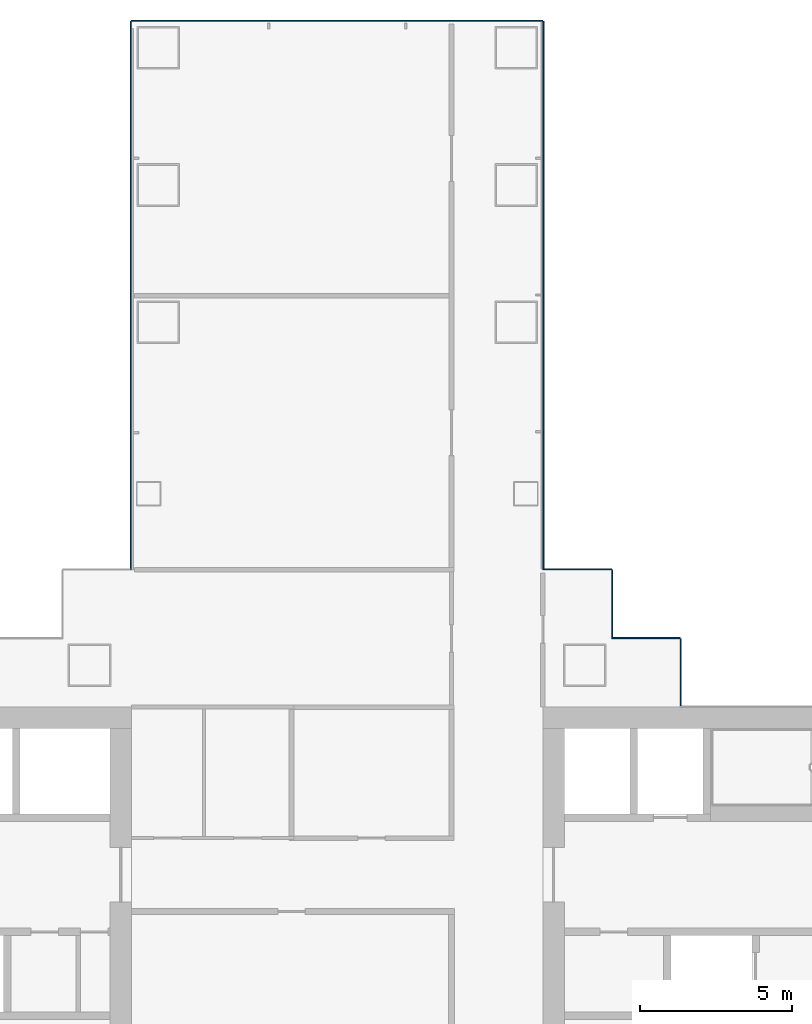
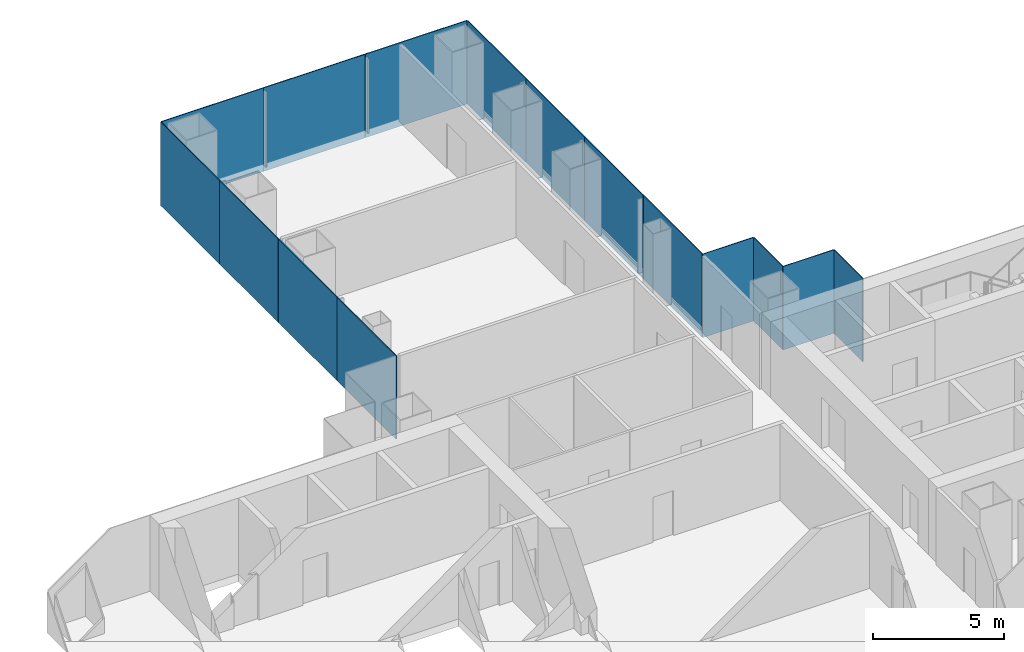
# One storey, part 13 of 21: 15 plates, 4 elements without a shape of their own.
"""IFC4 building model written with IfcOpenShell, lengths in metres."""

from ifc_helpers import new_model, si_unit, direction, frame, origin, origin_2d, place, context, subcontext, project, spatial, rectangle, extrude, material, layer, layer_set, type_object, element, aggregate, save


model = new_model("IFC4")

# Units and contexts
model_context = context("Model", 3, precision=1e-05, world=origin(), true_north=direction((0.0, 1.0)))
body_context = subcontext(model_context, "Body", "Model", "MODEL_VIEW")
ifc_project = project(units=[si_unit("LENGTHUNIT", "METRE"), si_unit("AREAUNIT", "SQUARE_METRE"), si_unit("VOLUMEUNIT", "CUBIC_METRE"), si_unit("PLANEANGLEUNIT", "RADIAN"), si_unit("MASSUNIT", "GRAM", prefix="KILO")], contexts=[model_context])

# Site, building, storey
site_placement = place(None, origin())
site = spatial("IfcSite", under=ifc_project, at=site_placement, CompositionType="ELEMENT")
building_placement = place(site_placement, origin())
building = spatial("IfcBuilding", under=site, at=building_placement, Name="Shamsa Quay Exchange Towers", CompositionType="ELEMENT")
storey_placement = place(building_placement, frame((0.0, 0.0, 61.5)))
storey = spatial("IfcBuildingStorey", under=building, at=storey_placement, Name="L13", CompositionType="ELEMENT", Elevation=61.5)

# Curtain wall, plates
ifc_material_1 = material(Name="Aluminium EN AW-6063 T6, black anodised", Category="aluminium")
ifc_layer_1 = layer(ifc_material_1, 0.280029296875)
ifc_layer_set_1 = layer_set([ifc_layer_1], Name="CW-1 UNITISED VISION GLASS")
curtain_wall_type_1 = type_object("IfcCurtainWallType", Name="CW-1 UNITISED VISION GLASS", PredefinedType="NOTDEFINED", material=ifc_layer_set_1)
curtain_wall_1_placement = place(storey_placement, origin())
curtain_wall_1 = element("IfcCurtainWall", 1, at=curtain_wall_1_placement, inside=storey, type_object=curtain_wall_type_1, Name="CW1 T2-FLK-U+S L13", PredefinedType="NOTDEFINED")
ifc_material_2 = material(Name="Glass, laminated, dark tinted", Category="glass")
ifc_layer_2 = layer(ifc_material_2, 0.0400390625)
ifc_layer_set_2 = layer_set([ifc_layer_2], Name="CW-1 VISION GLASS 40")
plate_type_1 = type_object("IfcPlateType", Name="CW-1 VISION GLASS 40", PredefinedType="CURTAIN_PANEL", material=ifc_layer_set_2)
plate_1_placement = place(storey_placement, frame((40.52001953125, 13.53076171875, -0.349853515625), z_axis=(0.0, 0.0, 1.0), x_axis=(0.0, 1.0, 0.0)))
plate_1 = element("IfcPlate", 2, at=plate_1_placement, type_object=plate_type_1, Name="CW1 glass panel", PredefinedType="CURTAIN_PANEL", context=body_context, shape_type="SweptSolid", body=[
    extrude(rectangle(XDim=4.485595703125, YDim=0.0400390625, at=origin_2d()), origin(), (0.0, 0.0, 1.0), 3.89990234375),
])
plate_2_placement = place(storey_placement, frame((40.52001953125, 18.023681640625, -0.349853515625), z_axis=(0.0, 0.0, 1.0), x_axis=(0.0, 1.0, 0.0)))
plate_2 = element("IfcPlate", 3, at=plate_2_placement, type_object=plate_type_1, Name="CW1 glass panel", PredefinedType="CURTAIN_PANEL", context=body_context, shape_type="SweptSolid", body=[
    extrude(rectangle(XDim=4.48046875, YDim=0.0400390625, at=origin_2d()), origin(), (0.0, 0.0, 1.0), 3.89990234375),
])
plate_3_placement = place(storey_placement, frame((40.52001953125, 22.51416015625, -0.349853515625), z_axis=(0.0, 0.0, 1.0), x_axis=(0.0, 1.0, 0.0)))
plate_3 = element("IfcPlate", 4, at=plate_3_placement, type_object=plate_type_1, Name="CW1 glass panel", PredefinedType="CURTAIN_PANEL", context=body_context, shape_type="SweptSolid", body=[
    extrude(rectangle(XDim=4.48046875, YDim=0.0400390625, at=origin_2d()), origin(), (0.0, 0.0, 1.0), 3.89990234375),
])
plate_4_placement = place(storey_placement, frame((40.52001953125, 27.00732421875, -0.349853515625), z_axis=(0.0, 0.0, 1.0), x_axis=(0.0, 1.0, 0.0)))
plate_4 = element("IfcPlate", 5, at=plate_4_placement, type_object=plate_type_1, Name="CW1 glass panel", PredefinedType="CURTAIN_PANEL", context=body_context, shape_type="SweptSolid", body=[
    extrude(rectangle(XDim=4.485595703125, YDim=0.0400390625, at=origin_2d()), origin(), (0.0, 0.0, 1.0), 3.89990234375),
])
aggregate(curtain_wall_1, [plate_1, plate_2, plate_3, plate_4])

curtain_wall_2_placement = place(storey_placement, origin())
curtain_wall_2 = element("IfcCurtainWall", 6, at=curtain_wall_2_placement, inside=storey, type_object=curtain_wall_type_1, Name="CW1 T2-END-U+ L13", PredefinedType="NOTDEFINED")
plate_5_placement = place(storey_placement, frame((38.25244140625, 29.27001953125, -0.349853515625), z_axis=(0.0, 0.0, 1.0), x_axis=(-1.0, 0.0, 0.0)))
plate_5 = element("IfcPlate", 7, at=plate_5_placement, type_object=plate_type_1, Name="CW1 glass panel", PredefinedType="CURTAIN_PANEL", context=body_context, shape_type="SweptSolid", body=[
    extrude(rectangle(XDim=4.4951171875, YDim=0.0400390625, at=origin_2d()), origin(), (0.0, 0.0, 1.0), 3.89990234375),
])
plate_6_placement = place(storey_placement, frame((33.75, 29.27001953125, -0.349853515625), z_axis=(0.0, 0.0, 1.0), x_axis=(-1.0, 0.0, 0.0)))
plate_6 = element("IfcPlate", 8, at=plate_6_placement, type_object=plate_type_1, Name="CW1 glass panel", PredefinedType="CURTAIN_PANEL", context=body_context, shape_type="SweptSolid", body=[
    extrude(rectangle(XDim=4.489990234375, YDim=0.0400390625, at=origin_2d()), origin(), (0.0, 0.0, 1.0), 3.89990234375),
])
plate_7_placement = place(storey_placement, frame((29.24755859375, 29.27001953125, -0.349853515625), z_axis=(0.0, 0.0, 1.0), x_axis=(-1.0, 0.0, 0.0)))
plate_7 = element("IfcPlate", 9, at=plate_7_placement, type_object=plate_type_1, Name="CW1 glass panel", PredefinedType="CURTAIN_PANEL", context=body_context, shape_type="SweptSolid", body=[
    extrude(rectangle(XDim=4.4951171875, YDim=0.0400390625, at=origin_2d()), origin(), (0.0, 0.0, 1.0), 3.89990234375),
])
aggregate(curtain_wall_2, [plate_5, plate_6, plate_7])

curtain_wall_3_placement = place(storey_placement, origin())
curtain_wall_3 = element("IfcCurtainWall", 10, at=curtain_wall_3_placement, inside=storey, type_object=curtain_wall_type_1, Name="CW1 T2-FLK-U+N L13", PredefinedType="NOTDEFINED")
plate_8_placement = place(storey_placement, frame((26.97998046875, 27.00244140625, -0.349853515625), z_axis=(0.0, 0.0, 1.0), x_axis=(0.0, -1.0, 0.0)))
plate_8 = element("IfcPlate", 11, at=plate_8_placement, type_object=plate_type_1, Name="CW1 glass panel", PredefinedType="CURTAIN_PANEL", context=body_context, shape_type="SweptSolid", body=[
    extrude(rectangle(XDim=4.4951171875, YDim=0.0400390625, at=origin_2d()), origin(), (0.0, 0.0, 1.0), 3.89990234375),
])
plate_9_placement = place(storey_placement, frame((26.97998046875, 22.5, -0.349853515625), z_axis=(0.0, 0.0, 1.0), x_axis=(0.0, -1.0, 0.0)))
plate_9 = element("IfcPlate", 12, at=plate_9_placement, type_object=plate_type_1, Name="CW1 glass panel", PredefinedType="CURTAIN_PANEL", context=body_context, shape_type="SweptSolid", body=[
    extrude(rectangle(XDim=4.489990234375, YDim=0.0400390625, at=origin_2d()), origin(), (0.0, 0.0, 1.0), 3.89990234375),
])
plate_10_placement = place(storey_placement, frame((26.97998046875, 18.0, -0.349853515625), z_axis=(0.0, 0.0, 1.0), x_axis=(0.0, -1.0, 0.0)))
plate_10 = element("IfcPlate", 13, at=plate_10_placement, type_object=plate_type_1, Name="CW1 glass panel", PredefinedType="CURTAIN_PANEL", context=body_context, shape_type="SweptSolid", body=[
    extrude(rectangle(XDim=4.489990234375, YDim=0.0400390625, at=origin_2d()), origin(), (0.0, 0.0, 1.0), 3.89990234375),
])
plate_11_placement = place(storey_placement, frame((26.97998046875, 13.49755859375, -0.349853515625), z_axis=(0.0, 0.0, 1.0), x_axis=(0.0, -1.0, 0.0)))
plate_11 = element("IfcPlate", 14, at=plate_11_placement, type_object=plate_type_1, Name="CW1 glass panel", PredefinedType="CURTAIN_PANEL", context=body_context, shape_type="SweptSolid", body=[
    extrude(rectangle(XDim=4.4951171875, YDim=0.0400390625, at=origin_2d()), origin(), (0.0, 0.0, 1.0), 3.89990234375),
])
aggregate(curtain_wall_3, [plate_8, plate_9, plate_10, plate_11])

ifc_layer_3 = layer(ifc_material_1, 0.256103515625)
ifc_layer_set_3 = layer_set([ifc_layer_3], Name="CW-4 POCKET SERRATED GLAZING")
curtain_wall_type_2 = type_object("IfcCurtainWallType", Name="CW-4 POCKET SERRATED GLAZING", PredefinedType="NOTDEFINED", material=ifc_layer_set_3)
curtain_wall_4_placement = place(storey_placement, origin())
curtain_wall_4 = element("IfcCurtainWall", 15, at=curtain_wall_4_placement, inside=storey, type_object=curtain_wall_type_2, Name="CW4 PKES L13", PredefinedType="NOTDEFINED")
ifc_layer_4 = layer(ifc_material_2, 0.035888671875)
ifc_layer_set_4 = layer_set([ifc_layer_4], Name="CW-4 POCKET GLASS 36")
plate_type_2 = type_object("IfcPlateType", Name="CW-4 POCKET GLASS 36", PredefinedType="CURTAIN_PANEL", material=ifc_layer_set_4)
plate_12_placement = place(storey_placement, frame((45.01806640625, 7.89794921875, -0.349853515625), z_axis=(0.0, 0.0, 1.0), x_axis=(0.0, 1.0, 0.0)))
plate_12 = element("IfcPlate", 16, at=plate_12_placement, type_object=plate_type_2, Name="CW4 glass panel", PredefinedType="CURTAIN_PANEL", context=body_context, shape_type="SweptSolid", body=[
    extrude(rectangle(XDim=2.2041015625, YDim=0.035888671875, at=origin_2d()), origin(), (0.0, 0.0, 1.0), 3.89990234375),
])
plate_13_placement = place(storey_placement, frame((43.875, 9.01806640625, -0.349853515625), z_axis=(0.0, 0.0, 1.0), x_axis=(-1.0, 0.0, 0.0)))
plate_13 = element("IfcPlate", 17, at=plate_13_placement, type_object=plate_type_2, Name="CW4 glass panel", PredefinedType="CURTAIN_PANEL", context=body_context, shape_type="SweptSolid", body=[
    extrude(rectangle(XDim=2.25, YDim=0.035888671875, at=origin_2d()), origin(), (0.0, 0.0, 1.0), 3.89990234375),
])
plate_14_placement = place(storey_placement, frame((42.76806640625, 10.14404296875, -0.349853515625), z_axis=(0.0, 0.0, 1.0), x_axis=(0.0, 1.0, 0.0)))
plate_14 = element("IfcPlate", 18, at=plate_14_placement, type_object=plate_type_2, Name="CW4 glass panel", PredefinedType="CURTAIN_PANEL", context=body_context, shape_type="SweptSolid", body=[
    extrude(rectangle(XDim=2.2119140625, YDim=0.035888671875, at=origin_2d()), origin(), (0.0, 0.0, 1.0), 3.89990234375),
])
plate_15_placement = place(storey_placement, frame((41.625, 11.26806640625, -0.349853515625), z_axis=(0.0, 0.0, 1.0), x_axis=(-1.0, 0.0, 0.0)))
plate_15 = element("IfcPlate", 19, at=plate_15_placement, type_object=plate_type_2, Name="CW4 glass panel", PredefinedType="CURTAIN_PANEL", context=body_context, shape_type="SweptSolid", body=[
    extrude(rectangle(XDim=2.25, YDim=0.035888671875, at=origin_2d()), origin(), (0.0, 0.0, 1.0), 3.89990234375),
])
aggregate(curtain_wall_4, [plate_12, plate_13, plate_14, plate_15])

save(model, "model.ifc")
